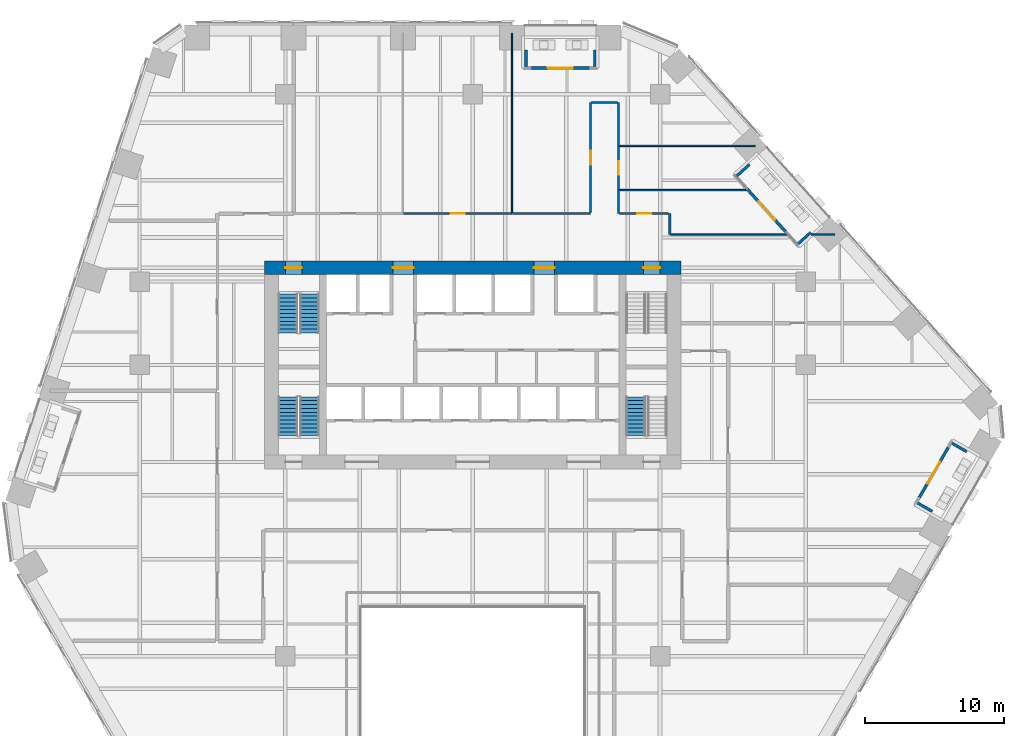
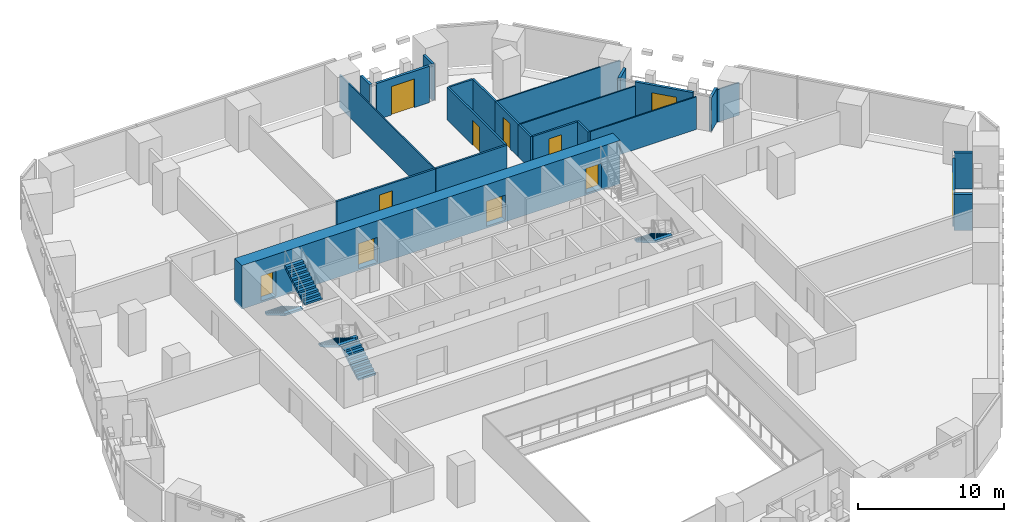
# One storey, part 25 of 31: 24 walls, 11 doors, 5 stair flights, 11 openings, 3 elements without a shape of their own.
"""IFC4 building model written with IfcOpenShell, lengths in metres."""

from ifc_helpers import new_model, si_unit, direction, frame, frame_2d, origin, place, context, subcontext, project, spatial, polyline, rectangle, outline, extrude, material, layer, layer_set, type_object, element, fill, aggregate, save


model = new_model("IFC4")

# Units and contexts
model_context = context("Model", 3, precision=1e-05, world=origin(), true_north=direction((0.0, 1.0)))
body_context = subcontext(model_context, "Body", "Model", "MODEL_VIEW")
ifc_project = project(units=[si_unit("LENGTHUNIT", "METRE"), si_unit("AREAUNIT", "SQUARE_METRE"), si_unit("VOLUMEUNIT", "CUBIC_METRE"), si_unit("PLANEANGLEUNIT", "RADIAN"), si_unit("MASSUNIT", "GRAM", prefix="KILO")], contexts=[model_context])

# Site, building, storey
site_placement = place(None, origin())
site = spatial("IfcSite", under=ifc_project, at=site_placement, CompositionType="ELEMENT")
building_placement = place(site_placement, origin())
building = spatial("IfcBuilding", under=site, at=building_placement, Name="Isthmus Gate Tower", CompositionType="ELEMENT")
storey_placement = place(building_placement, frame((0.0, 0.0, 39.64990234375)))
storey = spatial("IfcBuildingStorey", under=building, at=storey_placement, Name="L07", CompositionType="ELEMENT", Elevation=39.64990234375)

# Wall
ifc_material_1 = material(Name="Gypsum board on steel studs, fire-rated", Category="steel")
ifc_layer_1 = layer(ifc_material_1, 0.14990234375)
ifc_layer_set_1 = layer_set([ifc_layer_1], Name="CORRIDOR WALL 150 60 MIN")
wall_type_1 = type_object("IfcWallType", Name="CORRIDOR WALL 150 60 MIN", PredefinedType="PARTITIONING", material=ifc_layer_set_1)
wall_1_placement = place(storey_placement, frame((10.5, 26.39990234375, 0.0), z_axis=(0.0, 0.0, 1.0), x_axis=(0.0, -1.0, 0.0)))
element("IfcWall", 1, at=wall_1_placement, inside=storey, type_object=wall_type_1, Name="L07 Corridor Wall 150 60 Min", PredefinedType="PARTITIONING", context=body_context, shape_type="SweptSolid", body=[
    extrude(rectangle(XDim=3.116943359375, YDim=0.14990234375, at=frame_2d((1.55859375, 0.0))), origin(), (0.0, 0.0, 1.0), 2.7412109375),
])

# Wall, opening, door
wall_2_placement = place(storey_placement, frame((10.5, 23.282958984375, 0.0), z_axis=(0.0, 0.0, 1.0), x_axis=(0.0, -1.0, 0.0)))
wall_2 = element("IfcWall", 2, at=wall_2_placement, inside=storey, type_object=wall_type_1, Name="L07 Corridor Wall 150 60 Min", PredefinedType="PARTITIONING", context=body_context, shape_type="SweptSolid", body=[
    extrude(rectangle(XDim=3.19091796875, YDim=0.14990234375, at=frame_2d((1.595458984375, 0.0))), origin(), (0.0, 0.0, 1.0), 2.7412109375),
])
opening_1_placement = place(wall_2_placement, frame((1.095458984375, 0.0, 0.0)))
opening_1 = element("IfcOpeningElement", 3, at=opening_1_placement, cuts=wall_2, Name="Opening DT-T1A-05", PredefinedType="OPENING", context=body_context, shape_type="SweptSolid", body=[
    extrude(rectangle(XDim=1.0, YDim=2.10009765625, at=frame_2d((0.5, 1.050048828125))), frame((0.0, 0.0849609375, 0.0), z_axis=(0.0, -1.0, 0.0), x_axis=(1.0, 0.0, 0.0)), (0.0, 0.0, 1.0), 0.169921875),
])
ifc_material_2 = material(Name="Solid core timber door leaf, fire-rated", Category="wood")
door_type_1 = type_object("IfcDoorType", Name="FIRE DOOR ROOM 1000 X 2100 60 MIN", OperationType="SINGLE_SWING_LEFT", PredefinedType="DOOR", material=ifc_material_2)
door_1_placement = place(opening_1_placement, origin())
door_1 = element("IfcDoor", 4, at=door_1_placement, inside=storey, type_object=door_type_1, Name="L07 room door", OperationType="SINGLE_SWING_RIGHT", OverallHeight=2.10009765625, OverallWidth=1.0, PredefinedType="DOOR", context=body_context, shape_type="SweptSolid", body=[
    extrude(rectangle(XDim=1.0, YDim=2.10009765625, at=frame_2d((0.5, 1.050048828125))), frame((0.0, 0.02490234375, 0.0), z_axis=(0.0, -1.0, 0.0), x_axis=(1.0, 0.0, 0.0)), (0.0, 0.0, 1.0), 0.050048828125),
])
fill(opening_1, door_1)

# Walls
wall_3_placement = place(storey_placement, frame((10.5, 20.092041015625, 0.0), z_axis=(0.0, 0.0, 1.0), x_axis=(0.0, -1.0, 0.0)))
element("IfcWall", 5, at=wall_3_placement, inside=storey, type_object=wall_type_1, Name="L07 Corridor Wall 150 60 Min", PredefinedType="PARTITIONING", context=body_context, shape_type="SweptSolid", body=[
    extrude(rectangle(XDim=1.692138671875, YDim=0.14990234375, at=frame_2d((0.84619140625, 0.0))), origin(), (0.0, 0.0, 1.0), 2.7412109375),
])
wall_4_placement = place(storey_placement, frame((14.199951171875, 18.39990234375, 0.0), z_axis=(0.0, 0.0, 1.0), x_axis=(0.0, -1.0, 0.0)))
element("IfcWall", 6, at=wall_4_placement, inside=storey, type_object=wall_type_1, Name="L07 Corridor Wall 150 60 Min", PredefinedType="PARTITIONING", context=body_context, shape_type="SweptSolid", body=[
    extrude(rectangle(XDim=1.5, YDim=0.14990234375, at=frame_2d((0.75, 0.0))), origin(), (0.0, 0.0, 1.0), 2.7412109375),
])

# Wall, opening, door
wall_5_placement = place(storey_placement, frame((-4.987060546875, 18.39990234375, 0.0), z_axis=(0.0, 0.0, 1.0), x_axis=(1.0, 0.0, 0.0)))
wall_5 = element("IfcWall", 7, at=wall_5_placement, inside=storey, type_object=wall_type_1, Name="L07 Corridor Wall 150 60 Min", PredefinedType="PARTITIONING", context=body_context, shape_type="SweptSolid", body=[
    extrude(rectangle(XDim=7.819091796875, YDim=0.14990234375, at=frame_2d((3.90966796875, 0.0))), origin(), (0.0, 0.0, 1.0), 2.7412109375),
])
opening_2_placement = place(wall_5_placement, frame((3.409423828125, 0.0, 0.0)))
opening_2 = element("IfcOpeningElement", 8, at=opening_2_placement, cuts=wall_5, Name="Opening DT-T1A-03", PredefinedType="OPENING", context=body_context, shape_type="SweptSolid", body=[
    extrude(rectangle(XDim=1.0, YDim=2.10009765625, at=frame_2d((0.5, 1.050048828125))), frame((0.0, 0.0849609375, 0.0), z_axis=(0.0, -1.0, 0.0), x_axis=(1.0, 0.0, 0.0)), (0.0, 0.0, 1.0), 0.169921875),
])
door_2_placement = place(opening_2_placement, origin())
door_2 = element("IfcDoor", 9, at=door_2_placement, inside=storey, type_object=door_type_1, Name="L07 room door", OperationType="SINGLE_SWING_RIGHT", OverallHeight=2.10009765625, OverallWidth=1.0, PredefinedType="DOOR", context=body_context, shape_type="SweptSolid", body=[
    extrude(rectangle(XDim=1.0, YDim=2.10009765625, at=frame_2d((0.5, 1.050048828125))), frame((0.0, 0.02490234375, 0.0), z_axis=(0.0, -1.0, 0.0), x_axis=(1.0, 0.0, 0.0)), (0.0, 0.0, 1.0), 0.050048828125),
])
fill(opening_2, door_2)

# Wall
wall_6_placement = place(storey_placement, frame((2.882080078125, 18.39990234375, 0.0), z_axis=(0.0, 0.0, 1.0), x_axis=(1.0, 0.0, 0.0)))
element("IfcWall", 10, at=wall_6_placement, inside=storey, type_object=wall_type_1, Name="L07 Corridor Wall 150 60 Min", PredefinedType="PARTITIONING", context=body_context, shape_type="SweptSolid", body=[
    extrude(rectangle(XDim=5.617919921875, YDim=0.14990234375, at=frame_2d((2.80908203125, 0.0))), origin(), (0.0, 0.0, 1.0), 2.7412109375),
])

# Wall, opening, door
wall_7_placement = place(storey_placement, frame((8.5, 18.47509765625, 0.0), z_axis=(0.0, 0.0, 1.0), x_axis=(0.0, 1.0, 0.0)))
wall_7 = element("IfcWall", 11, at=wall_7_placement, inside=storey, type_object=wall_type_1, Name="L07 Corridor Wall 150 60 Min", PredefinedType="PARTITIONING", context=body_context, shape_type="SweptSolid", body=[
    extrude(rectangle(XDim=7.9248046875, YDim=0.14990234375, at=frame_2d((3.96240234375, 0.0))), origin(), (0.0, 0.0, 1.0), 2.7412109375),
])
opening_3_placement = place(wall_7_placement, frame((3.46240234375, 0.0, 0.0)))
opening_3 = element("IfcOpeningElement", 12, at=opening_3_placement, cuts=wall_7, Name="Opening DT-T1A-04", PredefinedType="OPENING", context=body_context, shape_type="SweptSolid", body=[
    extrude(rectangle(XDim=1.0, YDim=2.10009765625, at=frame_2d((0.5, 1.050048828125))), frame((0.0, 0.0849609375, 0.0), z_axis=(0.0, -1.0, 0.0), x_axis=(1.0, 0.0, 0.0)), (0.0, 0.0, 1.0), 0.169921875),
])
door_3_placement = place(opening_3_placement, origin())
door_3 = element("IfcDoor", 13, at=door_3_placement, inside=storey, type_object=door_type_1, Name="L07 room door", OperationType="SINGLE_SWING_RIGHT", OverallHeight=2.10009765625, OverallWidth=1.0, PredefinedType="DOOR", context=body_context, shape_type="SweptSolid", body=[
    extrude(rectangle(XDim=1.0, YDim=2.10009765625, at=frame_2d((0.5, 1.050048828125))), frame((0.0, 0.02490234375, 0.0), z_axis=(0.0, -1.0, 0.0), x_axis=(1.0, 0.0, 0.0)), (0.0, 0.0, 1.0), 0.050048828125),
])
fill(opening_3, door_3)

# Wall
wall_8_placement = place(storey_placement, frame((8.574951171875, 26.39990234375, 0.0), z_axis=(0.0, 0.0, 1.0), x_axis=(1.0, 0.0, 0.0)))
element("IfcWall", 14, at=wall_8_placement, inside=storey, type_object=wall_type_1, Name="L07 Corridor Wall 150 60 Min", PredefinedType="PARTITIONING", context=body_context, shape_type="SweptSolid", body=[
    extrude(rectangle(XDim=1.85009765625, YDim=0.14990234375, at=frame_2d((0.925048828125, 0.0))), origin(), (0.0, 0.0, 1.0), 2.7412109375),
])

# Wall, opening, door
wall_9_placement = place(storey_placement, frame((10.574951171875, 18.39990234375, 0.0), z_axis=(0.0, 0.0, 1.0), x_axis=(1.0, 0.0, 0.0)))
wall_9 = element("IfcWall", 15, at=wall_9_placement, inside=storey, type_object=wall_type_1, Name="L07 Corridor Wall 150 60 Min", PredefinedType="PARTITIONING", context=body_context, shape_type="SweptSolid", body=[
    extrude(rectangle(XDim=3.550048828125, YDim=0.14990234375, at=frame_2d((1.77490234375, 0.0))), origin(), (0.0, 0.0, 1.0), 2.7412109375),
])
opening_4_placement = place(wall_9_placement, frame((1.27490234375, 0.0, 0.0)))
opening_4 = element("IfcOpeningElement", 16, at=opening_4_placement, cuts=wall_9, Name="Opening DT-T1A-06", PredefinedType="OPENING", context=body_context, shape_type="SweptSolid", body=[
    extrude(rectangle(XDim=1.0, YDim=2.10009765625, at=frame_2d((0.5, 1.050048828125))), frame((0.0, 0.0849609375, 0.0), z_axis=(0.0, -1.0, 0.0), x_axis=(1.0, 0.0, 0.0)), (0.0, 0.0, 1.0), 0.169921875),
])
door_4_placement = place(opening_4_placement, origin())
door_4 = element("IfcDoor", 17, at=door_4_placement, inside=storey, type_object=door_type_1, Name="L07 room door", OperationType="SINGLE_SWING_RIGHT", OverallHeight=2.10009765625, OverallWidth=1.0, PredefinedType="DOOR", context=body_context, shape_type="SweptSolid", body=[
    extrude(rectangle(XDim=1.0, YDim=2.10009765625, at=frame_2d((0.5, 1.050048828125))), frame((0.0, 0.02490234375, 0.0), z_axis=(0.0, -1.0, 0.0), x_axis=(1.0, 0.0, 0.0)), (0.0, 0.0, 1.0), 0.050048828125),
])
fill(opening_4, door_4)

ifc_material_3 = material(Name="Precast concrete C40/50", Category="concrete")
ifc_layer_2 = layer(ifc_material_3, 0.199951171875)
ifc_layer_set_2 = layer_set([ifc_layer_2], Name="LOGGIA WALL 200")
wall_type_2 = type_object("IfcWallType", Name="LOGGIA WALL 200", PredefinedType="SOLIDWALL", material=ifc_layer_set_2)
wall_10_placement = place(storey_placement, frame((8.40185546875, 28.89990234375, 0.0), z_axis=(0.0, 0.0, 1.0), x_axis=(-1.0, 0.0, 0.0)))
wall_10 = element("IfcWall", 18, at=wall_10_placement, inside=storey, type_object=wall_type_2, Name="LOGGIA BACK WALL", PredefinedType="SOLIDWALL", context=body_context, shape_type="SweptSolid", body=[
    extrude(rectangle(XDim=4.16943359375, YDim=0.199951171875, at=frame_2d((2.084716796875, 0.0))), origin(), (0.0, 0.0, 1.0), 3.04931640625),
])
opening_5_placement = place(wall_10_placement, frame((1.184814453125, 0.0, 0.0)))
opening_5 = element("IfcOpeningElement", 19, at=opening_5_placement, cuts=wall_10, Name="Opening DE07-01", PredefinedType="OPENING", context=body_context, shape_type="SweptSolid", body=[
    extrude(rectangle(XDim=1.800048828125, YDim=2.39990234375, at=frame_2d((0.89990234375, 1.199951171875))), frame((0.0, 0.10986328125, 0.0), z_axis=(0.0, -1.0, 0.0), x_axis=(1.0, 0.0, 0.0)), (0.0, 0.0, 1.0), 0.219970703125),
])
ifc_material_4 = material(Name="Aluminium, pale champagne anodised, laminated glass", Category="aluminium")
door_type_2 = type_object("IfcDoorType", Name="LOGGIA DOOR SLIDING 1800 X 2400", OperationType="DOUBLE_DOOR_SLIDING", PredefinedType="DOOR", material=ifc_material_4)
door_5_placement = place(opening_5_placement, origin())
door_5 = element("IfcDoor", 20, at=door_5_placement, inside=storey, type_object=door_type_2, Name="DOOR DE07-01", OperationType="SINGLE_SWING_LEFT", OverallHeight=2.39990234375, OverallWidth=1.800048828125, PredefinedType="DOOR", context=body_context, shape_type="SweptSolid", body=[
    extrude(rectangle(XDim=1.800048828125, YDim=2.39990234375, at=frame_2d((0.89990234375, 1.199951171875))), frame((0.0, 0.02490234375, 0.0), z_axis=(0.0, -1.0, 0.0), x_axis=(1.0, 0.0, 0.0)), (0.0, 0.0, 1.0), 0.050048828125),
])
fill(opening_5, door_5)

# Walls
for number, where, z_axis, x_axis, name in (
    (21, (8.8017578125, 30.199951171875, 0.0), (0.0, 0.0, 1.0), (0.0, -1.0, 0.0), "LOGGIA SIDE WALL"),
    (22, (3.832275390625, 30.199951171875, 0.0), (0.0, 0.0, 1.0), (0.0, -1.0, 0.0), "LOGGIA SIDE WALL"),
):
    element("IfcWall", number, at=place(storey_placement, frame(where, z_axis=z_axis, x_axis=x_axis)), inside=storey, type_object=wall_type_2, Name=name, PredefinedType="SOLIDWALL", context=body_context, shape_type="SweptSolid", body=[
        extrude(rectangle(XDim=1.283935546875, YDim=0.199951171875, at=frame_2d((0.64208984375, 0.0))), origin(), (0.0, 0.0, 1.0), 3.050048828125),
    ])

# Wall, opening, door
wall_11_placement = place(storey_placement, frame((32.181396484375, -2.06005859375, 0.0), z_axis=(0.0, 0.0, 1.0), x_axis=(0.500043453909, 0.866000314205, 0.0)))
wall_11 = element("IfcWall", 23, at=wall_11_placement, inside=storey, type_object=wall_type_2, Name="LOGGIA BACK WALL", PredefinedType="SOLIDWALL", context=body_context, shape_type="SweptSolid", body=[
    extrude(rectangle(XDim=4.169677734375, YDim=0.199951171875, at=frame_2d((2.0849609375, 0.0))), origin(), (0.0, 0.0, 1.0), 2.82080078125),
])
opening_6_placement = place(wall_11_placement, frame((1.184814453125, 0.0, 0.0)))
opening_6 = element("IfcOpeningElement", 24, at=opening_6_placement, cuts=wall_11, Name="Opening DE07-05", PredefinedType="OPENING", context=body_context, shape_type="SweptSolid", body=[
    extrude(rectangle(XDim=1.800048828125, YDim=2.39990234375, at=frame_2d((0.89990234375, 1.199951171875))), frame((0.0, 0.10986328125, 0.0), z_axis=(0.0, -1.0, 0.0), x_axis=(1.0, 0.0, 0.0)), (0.0, 0.0, 1.0), 0.219970703125),
])
door_6_placement = place(opening_6_placement, origin())
door_6 = element("IfcDoor", 25, at=door_6_placement, inside=storey, type_object=door_type_2, Name="DOOR DE07-05", OperationType="SINGLE_SWING_LEFT", OverallHeight=2.39990234375, OverallWidth=1.800048828125, PredefinedType="DOOR", context=body_context, shape_type="SweptSolid", body=[
    extrude(rectangle(XDim=1.800048828125, YDim=2.39990234375, at=frame_2d((0.89990234375, 1.199951171875))), frame((0.0, 0.02490234375, 0.0), z_axis=(0.0, -1.0, 0.0), x_axis=(1.0, 0.0, 0.0)), (0.0, 0.0, 1.0), 0.050048828125),
])
fill(opening_6, door_6)

# Walls
for number, where, z_axis, x_axis, name in (
    (26, (33.107421875, -3.056396484375, 0.0), (0.0, 0.0, 1.0), (-0.866093771789, 0.499881564442, 0.0), "LOGGIA SIDE WALL"),
    (27, (35.592041015625, 1.247314453125, 0.0), (0.0, 0.0, 1.0), (-0.86596390011, 0.500106512361, 0.0), "LOGGIA SIDE WALL"),
):
    element("IfcWall", number, at=place(storey_placement, frame(where, z_axis=z_axis, x_axis=x_axis)), inside=storey, type_object=wall_type_2, Name=name, PredefinedType="SOLIDWALL", context=body_context, shape_type="SweptSolid", body=[
        extrude(rectangle(XDim=1.283935546875, YDim=0.199951171875, at=frame_2d((0.64208984375, 0.0))), origin(), (0.0, 0.0, 1.0), 3.050048828125),
    ])

# Wall, opening, door
wall_12_placement = place(storey_placement, frame((22.587646484375, 17.059326171875, 0.0), z_axis=(0.0, 0.0, 1.0), x_axis=(-0.669138140895, 0.743138041282, 0.0)))
wall_12 = element("IfcWall", 28, at=wall_12_placement, inside=storey, type_object=wall_type_2, Name="LOGGIA BACK WALL", PredefinedType="SOLIDWALL", context=body_context, shape_type="SweptSolid", body=[
    extrude(rectangle(XDim=4.199951171875, YDim=0.199951171875, at=frame_2d((2.10009765625, 0.0))), origin(), (0.0, 0.0, 1.0), 3.050048828125),
])
opening_7_placement = place(wall_12_placement, frame((1.199951171875, 0.0, 0.0)))
opening_7 = element("IfcOpeningElement", 29, at=opening_7_placement, cuts=wall_12, Name="Opening DE07-06", PredefinedType="OPENING", context=body_context, shape_type="SweptSolid", body=[
    extrude(rectangle(XDim=1.800048828125, YDim=2.39990234375, at=frame_2d((0.89990234375, 1.199951171875))), frame((0.0, 0.10986328125, 0.0), z_axis=(0.0, -1.0, 0.0), x_axis=(1.0, 0.0, 0.0)), (0.0, 0.0, 1.0), 0.219970703125),
])
door_7_placement = place(opening_7_placement, origin())
door_7 = element("IfcDoor", 30, at=door_7_placement, inside=storey, type_object=door_type_2, Name="DOOR DE07-06", OperationType="SINGLE_SWING_LEFT", OverallHeight=2.39990234375, OverallWidth=1.800048828125, PredefinedType="DOOR", context=body_context, shape_type="SweptSolid", body=[
    extrude(rectangle(XDim=1.800048828125, YDim=2.39990234375, at=frame_2d((0.89990234375, 1.199951171875))), frame((0.0, 0.02490234375, 0.0), z_axis=(0.0, -1.0, 0.0), x_axis=(1.0, 0.0, 0.0)), (0.0, 0.0, 1.0), 0.050048828125),
])
fill(opening_7, door_7)

# Walls
wall_13_placement = place(storey_placement, frame((24.35302734375, 17.041259765625, 0.0), z_axis=(0.0, 0.0, 1.0), x_axis=(-0.743123928629, -0.669153813932, 0.0)))
element("IfcWall", 31, at=wall_13_placement, inside=storey, type_object=wall_type_2, Name="LOGGIA SIDE WALL", PredefinedType="SOLIDWALL", context=body_context, shape_type="SweptSolid", body=[
    extrude(rectangle(XDim=1.283935546875, YDim=0.199951171875, at=frame_2d((0.64208984375, 0.0))), origin(), (0.0, 0.0, 1.0), 2.82080078125),
])
wall_14_placement = place(storey_placement, frame((19.94384765625, 21.938232421875, 0.0), z_axis=(0.0, 0.0, 1.0), x_axis=(-0.743029376197, -0.669258803535, 0.0)))
element("IfcWall", 32, at=wall_14_placement, inside=storey, type_object=wall_type_2, Name="LOGGIA SIDE WALL", PredefinedType="SOLIDWALL", context=body_context, shape_type="SweptSolid", body=[
    extrude(rectangle(XDim=1.2841796875, YDim=0.199951171875, at=frame_2d((0.64208984375, 0.0))), origin(), (0.0, 0.0, 1.0), 3.050048828125),
])

# Wall, openings, doors
ifc_material_5 = material(Name="Concrete f'c 70 MPa", Category="concrete")
ifc_layer_3 = layer(ifc_material_5, 1.0)
ifc_layer_set_3 = layer_set([ifc_layer_3], Name="RC CORE WALL 1000 F'C 70")
wall_type_3 = type_object("IfcWallType", Name="RC CORE WALL 1000 F'C 70", PredefinedType="SOLIDWALL", material=ifc_layer_set_3)
wall_15_placement = place(storey_placement, frame((-15.0, 14.5, -0.14990234375), z_axis=(0.0, 0.0, 1.0), x_axis=(1.0, 0.0, 0.0)))
wall_15 = element("IfcWall", 33, at=wall_15_placement, inside=storey, type_object=wall_type_3, Name="str-corewall-L07-N", PredefinedType="SOLIDWALL", context=body_context, shape_type="SweptSolid", body=[
    extrude(rectangle(XDim=30.0, YDim=1.0, at=frame_2d((15.0, 0.0))), origin(), (0.0, 0.0, 1.0), 3.64990234375),
])
opening_8_placement = place(wall_15_placement, frame((9.25, 0.0, 0.14990234375)))
opening_8 = element("IfcOpeningElement", 34, at=opening_8_placement, cuts=wall_15, Name="Opening DC-A04-11", PredefinedType="OPENING", context=body_context, shape_type="SweptSolid", body=[
    extrude(rectangle(XDim=1.5, YDim=2.10009765625, at=frame_2d((0.75, 1.050048828125))), frame((0.0, 0.510009765625, 0.0), z_axis=(0.0, -1.0, 0.0), x_axis=(1.0, 0.0, 0.0)), (0.0, 0.0, 1.0), 1.02001953125),
])
opening_9_placement = place(wall_15_placement, frame((19.39990234375, 0.0, 0.14990234375)))
opening_9 = element("IfcOpeningElement", 35, at=opening_9_placement, cuts=wall_15, Name="Opening DC-A04-12", PredefinedType="OPENING", context=body_context, shape_type="SweptSolid", body=[
    extrude(rectangle(XDim=1.5, YDim=2.10009765625, at=frame_2d((0.75, 1.050048828125))), frame((0.0, 0.510009765625, 0.0), z_axis=(0.0, -1.0, 0.0), x_axis=(1.0, 0.0, 0.0)), (0.0, 0.0, 1.0), 1.02001953125),
])
opening_10_placement = place(wall_15_placement, frame((1.5, 0.0, 0.14990234375)))
opening_10 = element("IfcOpeningElement", 36, at=opening_10_placement, cuts=wall_15, Name="Opening DC-A04-13", PredefinedType="OPENING", context=body_context, shape_type="SweptSolid", body=[
    extrude(rectangle(XDim=1.199951171875, YDim=2.10009765625, at=frame_2d((0.60009765625, 1.050048828125))), frame((0.0, 0.510009765625, 0.0), z_axis=(0.0, -1.0, 0.0), x_axis=(1.0, 0.0, 0.0)), (0.0, 0.0, 1.0), 1.02001953125),
])
opening_11_placement = place(wall_15_placement, frame((27.300048828125, 0.0, 0.14990234375)))
opening_11 = element("IfcOpeningElement", 37, at=opening_11_placement, cuts=wall_15, Name="Opening DC-A04-14", PredefinedType="OPENING", context=body_context, shape_type="SweptSolid", body=[
    extrude(rectangle(XDim=1.199951171875, YDim=2.10009765625, at=frame_2d((0.60009765625, 1.050048828125))), frame((0.0, 0.510009765625, 0.0), z_axis=(0.0, -1.0, 0.0), x_axis=(1.0, 0.0, 0.0)), (0.0, 0.0, 1.0), 1.02001953125),
])
ifc_material_6 = material(Name="Steel door leaf, fire-rated", Category="steel")
door_type_3 = type_object("IfcDoorType", Name="LOBBY FIRE DOOR 1500 X 2100 60 MIN", OperationType="DOUBLE_DOOR_SINGLE_SWING", PredefinedType="DOOR", material=ifc_material_6)
door_8_placement = place(opening_9_placement, origin())
door_8 = element("IfcDoor", 38, at=door_8_placement, inside=storey, type_object=door_type_3, Name="Lobby Door PN-E", OperationType="DOUBLE_DOOR_SINGLE_SWING", OverallHeight=2.10009765625, OverallWidth=1.5, PredefinedType="DOOR", context=body_context, shape_type="SweptSolid", body=[
    extrude(rectangle(XDim=1.5, YDim=2.10009765625, at=frame_2d((0.75, 1.050048828125))), frame((0.0, 0.02490234375, 0.0), z_axis=(0.0, -1.0, 0.0), x_axis=(1.0, 0.0, 0.0)), (0.0, 0.0, 1.0), 0.050048828125),
])
fill(opening_9, door_8)
ifc_material_7 = material(Name="Steel door leaf, fire-rated", Category="steel")
door_type_4 = type_object("IfcDoorType", Name="LOBBY FIRE DOOR 1500 X 2100 90 MIN", OperationType="DOUBLE_DOOR_SINGLE_SWING", PredefinedType="DOOR", material=ifc_material_7)
door_9_placement = place(opening_8_placement, origin())
door_9 = element("IfcDoor", 39, at=door_9_placement, inside=storey, type_object=door_type_4, Name="Lobby Door PN-W", OperationType="DOUBLE_DOOR_SINGLE_SWING", OverallHeight=2.10009765625, OverallWidth=1.5, PredefinedType="DOOR", context=body_context, shape_type="SweptSolid", body=[
    extrude(rectangle(XDim=1.5, YDim=2.10009765625, at=frame_2d((0.75, 1.050048828125))), frame((0.0, 0.02490234375, 0.0), z_axis=(0.0, -1.0, 0.0), x_axis=(1.0, 0.0, 0.0)), (0.0, 0.0, 1.0), 0.050048828125),
])
fill(opening_8, door_9)
ifc_material_8 = material(Name="Steel door leaf, fire-rated", Category="steel")
door_type_5 = type_object("IfcDoorType", Name="STAIR FIRE DOOR 1200 X 2100 90 MIN", OperationType="SINGLE_SWING_LEFT", PredefinedType="DOOR", material=ifc_material_8)
door_10_placement = place(opening_10_placement, origin())
door_10 = element("IfcDoor", 40, at=door_10_placement, inside=storey, type_object=door_type_5, Name="Exit Stair 1 Door", OperationType="SINGLE_SWING_RIGHT", OverallHeight=2.10009765625, OverallWidth=1.199951171875, PredefinedType="DOOR", context=body_context, shape_type="SweptSolid", body=[
    extrude(rectangle(XDim=1.199951171875, YDim=2.10009765625, at=frame_2d((0.60009765625, 1.050048828125))), frame((0.0, 0.02490234375, 0.0), z_axis=(0.0, -1.0, 0.0), x_axis=(1.0, 0.0, 0.0)), (0.0, 0.0, 1.0), 0.050048828125),
])
fill(opening_10, door_10)
door_11_placement = place(opening_11_placement, origin())
door_11 = element("IfcDoor", 41, at=door_11_placement, inside=storey, type_object=door_type_5, Name="Exit Stair 2 Door", OperationType="SINGLE_SWING_LEFT", OverallHeight=2.10009765625, OverallWidth=1.199951171875, PredefinedType="DOOR", context=body_context, shape_type="SweptSolid", body=[
    extrude(rectangle(XDim=1.199951171875, YDim=2.10009765625, at=frame_2d((0.60009765625, 1.050048828125))), frame((0.0, 0.02490234375, 0.0), z_axis=(0.0, -1.0, 0.0), x_axis=(1.0, 0.0, 0.0)), (0.0, 0.0, 1.0), 0.050048828125),
])
fill(opening_11, door_11)

# Walls
ifc_material_9 = material(Name="Gypsum board on steel studs, fire-rated", Category="steel")
ifc_layer_4 = layer(ifc_material_9, 0.10009765625)
ifc_layer_set_4 = layer_set([ifc_layer_4], Name="ROOM PARTITION 100 30 MIN")
wall_type_4 = type_object("IfcWallType", Name="ROOM PARTITION 100 30 MIN", PredefinedType="PARTITIONING", material=ifc_layer_set_4)
wall_16_placement = place(storey_placement, frame((2.83203125, 18.47509765625, 0.0), z_axis=(0.0, 0.0, 1.0), x_axis=(0.0, 1.0, 0.0)))
element("IfcWall", 42, at=wall_16_placement, inside=storey, type_object=wall_type_4, Name="L07 Room Partition 100 30 Min", PredefinedType="PARTITIONING", context=body_context, shape_type="SweptSolid", body=[
    extrude(rectangle(XDim=12.9248046875, YDim=0.10009765625, at=frame_2d((6.46240234375, 0.0))), origin(), (0.0, 0.0, 1.0), 2.7412109375),
])
wall_17_placement = place(storey_placement, frame((10.574951171875, 23.282958984375, 0.0), z_axis=(0.0, 0.0, 1.0), x_axis=(1.0, 0.0, 0.0)))
element("IfcWall", 43, at=wall_17_placement, inside=storey, type_object=wall_type_4, Name="L07 Room Partition 100 30 Min", PredefinedType="PARTITIONING", context=body_context, shape_type="SweptSolid", body=[
    extrude(rectangle(XDim=9.77197265625, YDim=0.10009765625, at=frame_2d((4.885986328125, 0.0))), origin(), (0.0, 0.0, 1.0), 2.7412109375),
])
wall_18_placement = place(storey_placement, frame((10.574951171875, 20.092041015625, 0.0), z_axis=(0.0, 0.0, 1.0), x_axis=(1.0, 0.0, 0.0)))
element("IfcWall", 44, at=wall_18_placement, inside=storey, type_object=wall_type_4, Name="L07 Room Partition 100 30 Min", PredefinedType="PARTITIONING", context=body_context, shape_type="SweptSolid", body=[
    extrude(rectangle(XDim=9.117431640625, YDim=0.10009765625, at=frame_2d((4.55859375, 0.0))), origin(), (0.0, 0.0, 1.0), 2.7412109375),
])
wall_19_placement = place(storey_placement, frame((14.27490234375, 16.89990234375, 0.0), z_axis=(0.0, 0.0, 1.0), x_axis=(1.0, 0.0, 0.0)))
element("IfcWall", 45, at=wall_19_placement, inside=storey, type_object=wall_type_4, Name="L07 Room Partition 100 30 Min", PredefinedType="PARTITIONING", context=body_context, shape_type="SweptSolid", body=[
    extrude(rectangle(XDim=8.404541015625, YDim=0.10009765625, at=frame_2d((4.2021484375, 0.0))), origin(), (0.0, 0.0, 1.0), 2.7412109375),
])
wall_20_placement = place(storey_placement, frame((24.37548828125, 16.89990234375, 0.0), z_axis=(0.0, 0.0, 1.0), x_axis=(1.0, 0.0, 0.0)))
element("IfcWall", 46, at=wall_20_placement, inside=storey, type_object=wall_type_4, Name="L07 Room Partition 100 30 Min", PredefinedType="PARTITIONING", context=body_context, shape_type="SweptSolid", body=[
    extrude(rectangle(XDim=1.719482421875, YDim=0.10009765625, at=frame_2d((0.85986328125, 0.0))), origin(), (0.0, 0.0, 1.0), 2.7412109375),
])

# Stair, stair flights
ifc_material_10 = material(Name="Concrete f'c 40 MPa", Category="concrete")
stair_type = type_object("IfcStairType", Name="CORE STAIR 22 RISERS", PredefinedType="HALF_TURN_STAIR", material=ifc_material_10)
stair_1_placement = place(storey_placement, origin())
stair_1 = element("IfcStair", 47, at=stair_1_placement, inside=storey, type_object=stair_type, Name="L07 Exit Stair 1", PredefinedType="HALF_TURN_STAIR")
ifc_material_11 = material(Name="Concrete f'c 40 MPa", Category="concrete")
stair_flight_type = type_object("IfcStairFlightType", Name="STAIR FLIGHT RC 1400", PredefinedType="STRAIGHT", material=ifc_material_11)
stair_flight_1_placement = place(storey_placement, frame((-13.300048828125, 12.60009765625, 0.0), z_axis=(0.0, 0.0, 1.0), x_axis=(0.0, -1.0, 0.0)))
stair_flight_1 = element("IfcStairFlight", 48, at=stair_flight_1_placement, type_object=stair_flight_type, Name="ST1 flight 1", NumberOfRisers=11, NumberOfTreads=10, PredefinedType="STRAIGHT", RiserHeight=0.165909091, TreadLength=0.28, context=body_context, shape_type="SweptSolid", body=[
    extrude(outline(polyline([(0.0, 0.0), (0.0, 0.166015625), (0.280029296875, 0.166015625), (0.280029296875, 0.331787109375), (0.56005859375, 0.331787109375), (0.56005859375, 0.497802734375), (0.840087890625, 0.497802734375), (0.840087890625, 0.66357421875), (1.1201171875, 0.66357421875), (1.1201171875, 0.82958984375), (1.39990234375, 0.82958984375), (1.39990234375, 0.995361328125), (1.679931640625, 0.995361328125), (1.679931640625, 1.161376953125), (1.9599609375, 1.161376953125), (1.9599609375, 1.327392578125), (2.239990234375, 1.327392578125), (2.239990234375, 1.4931640625), (2.52001953125, 1.4931640625), (2.52001953125, 1.6591796875), (2.800048828125, 1.6591796875), (2.800048828125, 1.824951171875), (2.800048828125, 1.48486328125), (0.2939453125, 0.0), (0.0, 0.0)])), frame((0.0, 0.699951171875, 0.0), z_axis=(0.0, -1.0, 0.0), x_axis=(1.0, 0.0, 0.0)), (0.0, 0.0, 1.0), 1.39990234375),
])
stair_flight_2_placement = place(storey_placement, frame((-11.75, 9.800048828125, 1.8251953125), z_axis=(0.0, 0.0, 1.0), x_axis=(0.0, 1.0, 0.0)))
stair_flight_2 = element("IfcStairFlight", 49, at=stair_flight_2_placement, type_object=stair_flight_type, Name="ST1 flight 2", NumberOfRisers=11, NumberOfTreads=10, PredefinedType="STRAIGHT", RiserHeight=0.165909091, TreadLength=0.28, context=body_context, shape_type="SweptSolid", body=[
    extrude(outline(polyline([(0.0, 0.0), (0.0, 0.166015625), (0.280029296875, 0.166015625), (0.280029296875, 0.331787109375), (0.56005859375, 0.331787109375), (0.56005859375, 0.497802734375), (0.840087890625, 0.497802734375), (0.840087890625, 0.66357421875), (1.1201171875, 0.66357421875), (1.1201171875, 0.82958984375), (1.39990234375, 0.82958984375), (1.39990234375, 0.995361328125), (1.679931640625, 0.995361328125), (1.679931640625, 1.161376953125), (1.9599609375, 1.161376953125), (1.9599609375, 1.327392578125), (2.239990234375, 1.327392578125), (2.239990234375, 1.4931640625), (2.52001953125, 1.4931640625), (2.52001953125, 1.6591796875), (2.800048828125, 1.6591796875), (2.800048828125, 1.824951171875), (2.800048828125, 1.48486328125), (0.2939453125, 0.0), (0.0, 0.0)])), frame((0.0, 0.699951171875, 0.0), z_axis=(0.0, -1.0, 0.0), x_axis=(1.0, 0.0, 0.0)), (0.0, 0.0, 1.0), 1.39990234375),
])
aggregate(stair_1, [stair_flight_1, stair_flight_2])

stair_2_placement = place(storey_placement, origin())
stair_2 = element("IfcStair", 50, at=stair_2_placement, inside=storey, type_object=stair_type, Name="L07 Exit Stair 7", PredefinedType="HALF_TURN_STAIR")
stair_flight_3_placement = place(storey_placement, frame((-11.75, 2.39990234375, 0.0), z_axis=(0.0, 0.0, 1.0), x_axis=(0.0, 1.0, 0.0)))
stair_flight_3 = element("IfcStairFlight", 51, at=stair_flight_3_placement, type_object=stair_flight_type, Name="ST7 flight 1", NumberOfRisers=11, NumberOfTreads=10, PredefinedType="STRAIGHT", RiserHeight=0.165909091, TreadLength=0.28, context=body_context, shape_type="SweptSolid", body=[
    extrude(outline(polyline([(0.0, 0.0), (0.0, 0.166015625), (0.280029296875, 0.166015625), (0.280029296875, 0.331787109375), (0.56005859375, 0.331787109375), (0.56005859375, 0.497802734375), (0.840087890625, 0.497802734375), (0.840087890625, 0.66357421875), (1.1201171875, 0.66357421875), (1.1201171875, 0.82958984375), (1.39990234375, 0.82958984375), (1.39990234375, 0.995361328125), (1.679931640625, 0.995361328125), (1.679931640625, 1.161376953125), (1.9599609375, 1.161376953125), (1.9599609375, 1.327392578125), (2.239990234375, 1.327392578125), (2.239990234375, 1.4931640625), (2.52001953125, 1.4931640625), (2.52001953125, 1.6591796875), (2.800048828125, 1.6591796875), (2.800048828125, 1.824951171875), (2.800048828125, 1.48486328125), (0.2939453125, 0.0), (0.0, 0.0)])), frame((0.0, 0.699951171875, 0.0), z_axis=(0.0, -1.0, 0.0), x_axis=(1.0, 0.0, 0.0)), (0.0, 0.0, 1.0), 1.39990234375),
])
stair_flight_4_placement = place(storey_placement, frame((-13.300048828125, 5.199951171875, 1.8251953125), z_axis=(0.0, 0.0, 1.0), x_axis=(0.0, -1.0, 0.0)))
stair_flight_4 = element("IfcStairFlight", 52, at=stair_flight_4_placement, type_object=stair_flight_type, Name="ST7 flight 2", NumberOfRisers=11, NumberOfTreads=10, PredefinedType="STRAIGHT", RiserHeight=0.165909091, TreadLength=0.28, context=body_context, shape_type="SweptSolid", body=[
    extrude(outline(polyline([(0.0, 0.0), (0.0, 0.166015625), (0.280029296875, 0.166015625), (0.280029296875, 0.331787109375), (0.56005859375, 0.331787109375), (0.56005859375, 0.497802734375), (0.840087890625, 0.497802734375), (0.840087890625, 0.66357421875), (1.1201171875, 0.66357421875), (1.1201171875, 0.82958984375), (1.39990234375, 0.82958984375), (1.39990234375, 0.995361328125), (1.679931640625, 0.995361328125), (1.679931640625, 1.161376953125), (1.9599609375, 1.161376953125), (1.9599609375, 1.327392578125), (2.239990234375, 1.327392578125), (2.239990234375, 1.4931640625), (2.52001953125, 1.4931640625), (2.52001953125, 1.6591796875), (2.800048828125, 1.6591796875), (2.800048828125, 1.824951171875), (2.800048828125, 1.48486328125), (0.2939453125, 0.0), (0.0, 0.0)])), frame((0.0, 0.699951171875, 0.0), z_axis=(0.0, -1.0, 0.0), x_axis=(1.0, 0.0, 0.0)), (0.0, 0.0, 1.0), 1.39990234375),
])
aggregate(stair_2, [stair_flight_3, stair_flight_4])

# Stair, stair flight
stair_3_placement = place(storey_placement, origin())
stair_3 = element("IfcStair", 53, at=stair_3_placement, inside=storey, type_object=stair_type, Name="L07 Exit Stair 8", PredefinedType="HALF_TURN_STAIR")
stair_flight_5_placement = place(storey_placement, frame((11.75, 5.199951171875, 1.8251953125), z_axis=(0.0, 0.0, 1.0), x_axis=(0.0, -1.0, 0.0)))
stair_flight_5 = element("IfcStairFlight", 54, at=stair_flight_5_placement, type_object=stair_flight_type, Name="ST8 flight 2", NumberOfRisers=11, NumberOfTreads=10, PredefinedType="STRAIGHT", RiserHeight=0.165909091, TreadLength=0.28, context=body_context, shape_type="SweptSolid", body=[
    extrude(outline(polyline([(0.0, 0.0), (0.0, 0.166015625), (0.280029296875, 0.166015625), (0.280029296875, 0.331787109375), (0.56005859375, 0.331787109375), (0.56005859375, 0.497802734375), (0.840087890625, 0.497802734375), (0.840087890625, 0.66357421875), (1.1201171875, 0.66357421875), (1.1201171875, 0.82958984375), (1.39990234375, 0.82958984375), (1.39990234375, 0.995361328125), (1.679931640625, 0.995361328125), (1.679931640625, 1.161376953125), (1.9599609375, 1.161376953125), (1.9599609375, 1.327392578125), (2.239990234375, 1.327392578125), (2.239990234375, 1.4931640625), (2.52001953125, 1.4931640625), (2.52001953125, 1.6591796875), (2.800048828125, 1.6591796875), (2.800048828125, 1.824951171875), (2.800048828125, 1.48486328125), (0.2939453125, 0.0), (0.0, 0.0)])), frame((0.0, 0.699951171875, 0.0), z_axis=(0.0, -1.0, 0.0), x_axis=(1.0, 0.0, 0.0)), (0.0, 0.0, 1.0), 1.39990234375),
])
aggregate(stair_3, [stair_flight_5])

save(model, "model.ifc")
